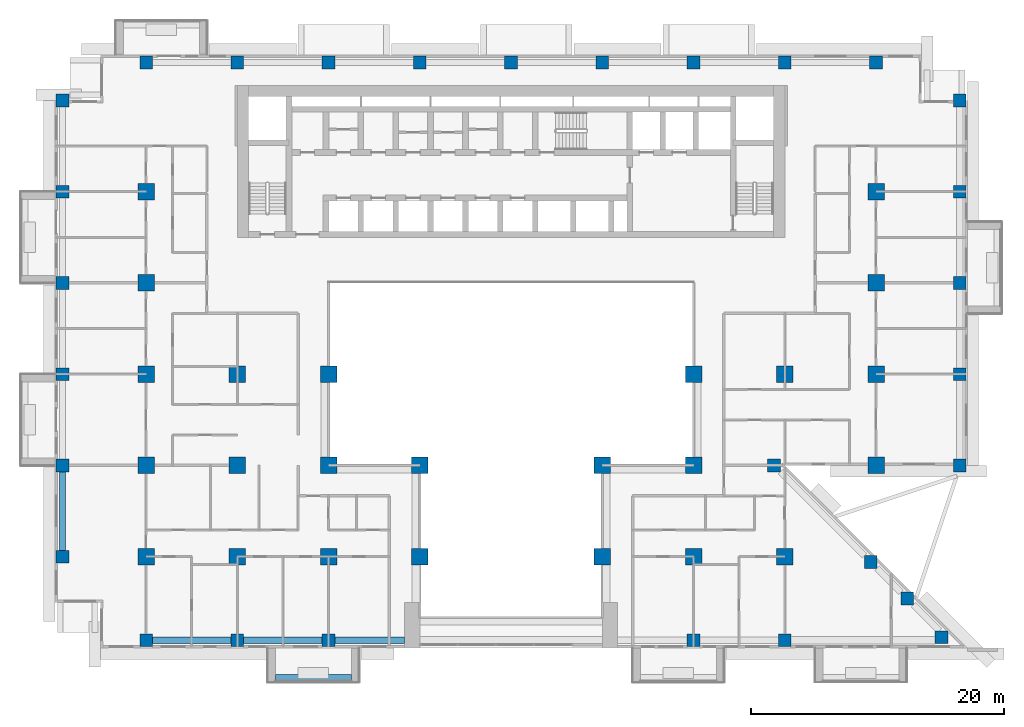
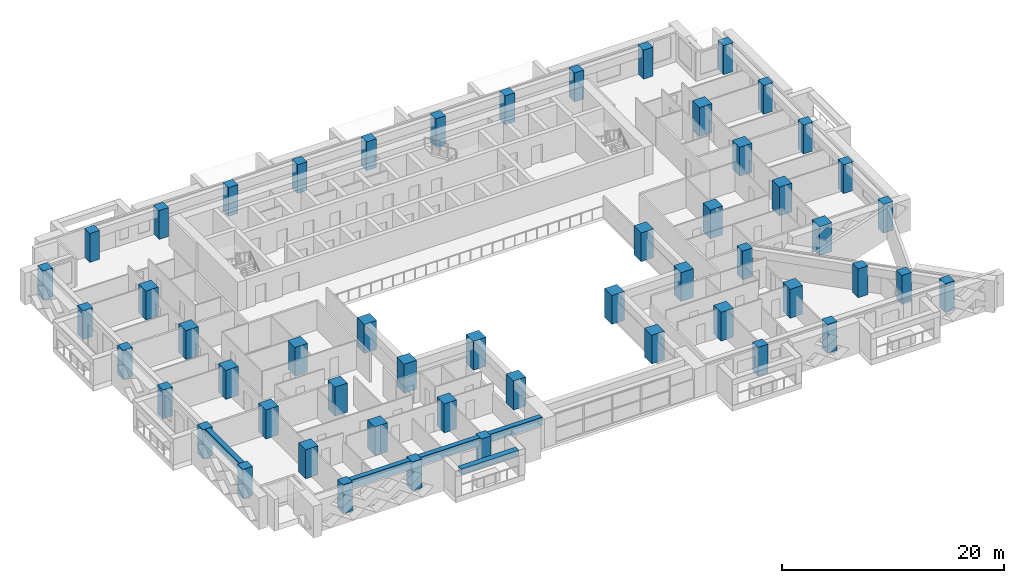
# One storey, part 1 of 17: 53 columns, 5 beams.
"""IFC4 building model written with IfcOpenShell, lengths in metres."""

from ifc_helpers import new_model, si_unit, direction, frame, origin, origin_2d, place, context, subcontext, project, spatial, rectangle, extrude, source, transform, mapped, material, material_profile, profile_set, type_object, element, save


model = new_model("IFC4")

# Units and contexts
model_context = context("Model", 3, precision=1e-05, world=origin(), true_north=direction((0.0, 1.0)))
body_context = subcontext(model_context, "Body", "Model", "MODEL_VIEW")
ifc_project = project(units=[si_unit("LENGTHUNIT", "METRE"), si_unit("AREAUNIT", "SQUARE_METRE"), si_unit("VOLUMEUNIT", "CUBIC_METRE"), si_unit("PLANEANGLEUNIT", "RADIAN"), si_unit("MASSUNIT", "GRAM", prefix="KILO")], contexts=[model_context])

# Site, building, storey
site_placement = place(None, origin())
site = spatial("IfcSite", under=ifc_project, at=site_placement, CompositionType="ELEMENT")
building_placement = place(site_placement, origin())
building = spatial("IfcBuilding", under=site, at=building_placement, Name="Saffron Iwan Residences", CompositionType="ELEMENT")
storey_placement = place(building_placement, frame((0.0, 0.0, 79.5)))
storey = spatial("IfcBuildingStorey", under=building, at=storey_placement, Name="L20", CompositionType="ELEMENT", Elevation=79.5)

# Columns
ifc_material_1 = material(Name="Concrete C60/75", Category="concrete")
ifc_material_profile_1 = material_profile(ifc_material_1, rectangle(XDim=1.0, YDim=1.0, at=origin_2d()), Name="RC 1000x1000")
ifc_profile_set_1 = profile_set([ifc_material_profile_1], Name="Concrete C60/75")
column_type_1 = type_object("IfcColumnType", Name="COL RC 1000x1000 C60/75 3180 HIGH", PredefinedType="COLUMN", material=ifc_profile_set_1)
shared_shape_1 = source(origin(), body_context, "Body", "SweptSolid", [
    extrude(rectangle(XDim=1.0, YDim=1.0, at=origin_2d()), origin(), (0.0, 0.0, 1.0), 3.179931640625),
])
for number, where, z_axis, x_axis, name in (
    (1, (21.60009765625, 34.199951171875, 0.0), (0.0, 0.0, 1.0), (1.0, 0.0, 0.0), "Column C038"),
    (2, (28.800048828125, 34.199951171875, 0.0), (0.0, 0.0, 1.0), (1.0, 0.0, 0.0), "Column C039"),
    (3, (36.0, 34.199951171875, 0.0), (0.0, 0.0, 1.0), (1.0, 0.0, 0.0), "Column C040"),
    (4, (64.800048828125, 34.199951171875, 0.0), (0.0, 0.0, 1.0), (1.0, 0.0, 0.0), "Column C041"),
    (5, (72.0, 34.199951171875, 0.0), (0.0, 0.0, 1.0), (1.0, 0.0, 0.0), "Column C042"),
    (6, (84.367431640625, 34.44189453125, 0.0), (0.0, 0.0, 1.0), (1.0, 0.0, 0.0), "Column C043"),
    (7, (81.65576171875, 37.49560546875, 0.0), (0.0, 0.0, 1.0), (1.0, 0.0, 0.0), "Column C044"),
    (8, (78.775634765625, 40.375732421875, 0.0), (0.0, 0.0, 1.0), (1.0, 0.0, 0.0), "Column C047"),
    (9, (15.0, 40.800048828125, 0.0), (0.0, 0.0, 1.0), (1.0, 0.0, 0.0), "Column C048"),
    (10, (15.0, 48.0, 0.0), (0.0, 0.0, 1.0), (1.0, 0.0, 0.0), "Column C061"),
    (11, (71.14990234375, 48.0, 0.0), (0.0, 0.0, 1.0), (1.0, 0.0, 0.0), "Column C070"),
    (12, (85.800048828125, 48.0, 0.0), (0.0, 0.0, 1.0), (1.0, 0.0, 0.0), "Column C074"),
    (13, (15.0, 55.199951171875, 0.0), (0.0, 0.0, 1.0), (1.0, 0.0, 0.0), "Column C077"),
    (14, (85.800048828125, 55.199951171875, 0.0), (0.0, 0.0, 1.0), (1.0, 0.0, 0.0), "Column C086"),
    (15, (15.0, 62.39990234375, 0.0), (0.0, 0.0, 1.0), (1.0, 0.0, 0.0), "Column C089"),
    (16, (85.800048828125, 62.39990234375, 0.0), (0.0, 0.0, 1.0), (1.0, 0.0, 0.0), "Column C094"),
    (17, (15.0, 69.60009765625, 0.0), (0.0, 0.0, 1.0), (1.0, 0.0, 0.0), "Column C097"),
    (18, (85.800048828125, 69.60009765625, 0.0), (0.0, 0.0, 1.0), (1.0, 0.0, 0.0), "Column C102"),
    (19, (15.0, 76.800048828125, 0.0), (0.0, 0.0, 1.0), (1.0, 0.0, 0.0), "Column C105"),
    (20, (85.800048828125, 76.800048828125, 0.0), (0.0, 0.0, 1.0), (1.0, 0.0, 0.0), "Column C110"),
    (21, (21.60009765625, 79.800048828125, 0.0), (0.0, 0.0, 1.0), (1.0, 0.0, 0.0), "Column C113"),
    (22, (28.800048828125, 79.800048828125, 0.0), (0.0, 0.0, 1.0), (1.0, 0.0, 0.0), "Column C115"),
    (23, (36.0, 79.800048828125, 0.0), (0.0, 0.0, 1.0), (1.0, 0.0, 0.0), "Column C116"),
    (24, (43.199951171875, 79.800048828125, 0.0), (0.0, 0.0, 1.0), (1.0, 0.0, 0.0), "Column C117"),
    (25, (50.39990234375, 79.800048828125, 0.0), (0.0, 0.0, 1.0), (1.0, 0.0, 0.0), "Column C118"),
    (26, (57.60009765625, 79.800048828125, 0.0), (0.0, 0.0, 1.0), (1.0, 0.0, 0.0), "Column C119"),
    (27, (64.800048828125, 79.800048828125, 0.0), (0.0, 0.0, 1.0), (1.0, 0.0, 0.0), "Column C120"),
    (28, (72.0, 79.800048828125, 0.0), (0.0, 0.0, 1.0), (1.0, 0.0, 0.0), "Column C121"),
    (29, (79.199951171875, 79.800048828125, 0.0), (0.0, 0.0, 1.0), (1.0, 0.0, 0.0), "Column C123"),
):
    element("IfcColumn", number, at=place(storey_placement, frame(where, z_axis=z_axis, x_axis=x_axis)), inside=storey, type_object=column_type_1, Name=name, PredefinedType="COLUMN", context=body_context, shape_type="MappedRepresentation", body=[
        mapped(shared_shape_1, transform((0.0, 0.0, 0.0))),
    ])
ifc_material_profile_2 = material_profile(ifc_material_1, rectangle(XDim=1.300048828125, YDim=1.300048828125, at=origin_2d()), Name="RC 1300x1300")
ifc_profile_set_2 = profile_set([ifc_material_profile_2], Name="Concrete C60/75")
column_type_2 = type_object("IfcColumnType", Name="COL RC 1300x1300 C60/75 3180 HIGH", PredefinedType="COLUMN", material=ifc_profile_set_2)
shared_shape_2 = source(origin(), body_context, "Body", "SweptSolid", [
    extrude(rectangle(XDim=1.300048828125, YDim=1.300048828125, at=origin_2d()), origin(), (0.0, 0.0, 1.0), 3.179931640625),
])
for number, where, z_axis, x_axis, name in (
    (30, (21.60009765625, 40.800048828125, 0.0), (0.0, 0.0, 1.0), (1.0, 0.0, 0.0), "Column C049"),
    (31, (28.800048828125, 40.800048828125, 0.0), (0.0, 0.0, 1.0), (1.0, 0.0, 0.0), "Column C051"),
    (32, (36.0, 40.800048828125, 0.0), (0.0, 0.0, 1.0), (1.0, 0.0, 0.0), "Column C052"),
    (33, (43.199951171875, 40.800048828125, 0.0), (0.0, 0.0, 1.0), (1.0, 0.0, 0.0), "Column C053"),
    (34, (57.60009765625, 40.800048828125, 0.0), (0.0, 0.0, 1.0), (1.0, 0.0, 0.0), "Column C054"),
    (35, (64.800048828125, 40.800048828125, 0.0), (0.0, 0.0, 1.0), (1.0, 0.0, 0.0), "Column C055"),
    (36, (72.0, 40.800048828125, 0.0), (0.0, 0.0, 1.0), (1.0, 0.0, 0.0), "Column C056"),
    (37, (21.60009765625, 48.0, 0.0), (0.0, 0.0, 1.0), (1.0, 0.0, 0.0), "Column C063"),
    (38, (28.800048828125, 48.0, 0.0), (0.0, 0.0, 1.0), (1.0, 0.0, 0.0), "Column C064"),
    (39, (36.0, 48.0, 0.0), (0.0, 0.0, 1.0), (1.0, 0.0, 0.0), "Column C065"),
    (40, (43.199951171875, 48.0, 0.0), (0.0, 0.0, 1.0), (1.0, 0.0, 0.0), "Column C066"),
    (41, (57.60009765625, 48.0, 0.0), (0.0, 0.0, 1.0), (1.0, 0.0, 0.0), "Column C068"),
    (42, (64.800048828125, 48.0, 0.0), (0.0, 0.0, 1.0), (1.0, 0.0, 0.0), "Column C069"),
    (43, (79.199951171875, 48.0, 0.0), (0.0, 0.0, 1.0), (1.0, 0.0, 0.0), "Column C072"),
    (44, (21.60009765625, 55.199951171875, 0.0), (0.0, 0.0, 1.0), (1.0, 0.0, 0.0), "Column C079"),
    (45, (28.800048828125, 55.199951171875, 0.0), (0.0, 0.0, 1.0), (1.0, 0.0, 0.0), "Column C080"),
    (46, (36.0, 55.199951171875, 0.0), (0.0, 0.0, 1.0), (1.0, 0.0, 0.0), "Column C081"),
    (47, (64.800048828125, 55.199951171875, 0.0), (0.0, 0.0, 1.0), (1.0, 0.0, 0.0), "Column C082"),
    (48, (72.0, 55.199951171875, 0.0), (0.0, 0.0, 1.0), (1.0, 0.0, 0.0), "Column C083"),
    (49, (79.199951171875, 55.199951171875, 0.0), (0.0, 0.0, 1.0), (1.0, 0.0, 0.0), "Column C084"),
    (50, (21.60009765625, 62.39990234375, 0.0), (0.0, 0.0, 1.0), (1.0, 0.0, 0.0), "Column C091"),
    (51, (79.199951171875, 62.39990234375, 0.0), (0.0, 0.0, 1.0), (1.0, 0.0, 0.0), "Column C092"),
    (52, (21.60009765625, 69.60009765625, 0.0), (0.0, 0.0, 1.0), (1.0, 0.0, 0.0), "Column C099"),
    (53, (79.199951171875, 69.60009765625, 0.0), (0.0, 0.0, 1.0), (1.0, 0.0, 0.0), "Column C100"),
):
    element("IfcColumn", number, at=place(storey_placement, frame(where, z_axis=z_axis, x_axis=x_axis)), inside=storey, type_object=column_type_2, Name=name, PredefinedType="COLUMN", context=body_context, shape_type="MappedRepresentation", body=[
        mapped(shared_shape_2, transform((0.0, 0.0, 0.0))),
    ])

# Beams
ifc_material_profile_3 = material_profile(ifc_material_1, rectangle(XDim=0.5, YDim=0.89990234375, at=origin_2d()), Name="RC 500x900")
ifc_profile_set_3 = profile_set([ifc_material_profile_3], Name="Concrete C60/75")
beam_type_1 = type_object("IfcBeamType", Name="SPANDREL BEAM RC 500x900 C60/75 TOP 3180", PredefinedType="SPANDREL", material=ifc_profile_set_3)
shared_shape_3 = source(origin(), body_context, "Body", "SweptSolid", [
    extrude(rectangle(XDim=0.5, YDim=0.89990234375, at=origin_2d()), origin(), (0.0, 0.0, 1.0), 6.199951171875),
])
for number, where, z_axis, x_axis, name in (
    (54, (28.300048828125, 34.199951171875, 2.72998046875), (-1.0, 0.0, 0.0), (0.0, -1.0, 0.0), "Spandrel beam"),
    (55, (35.5, 34.199951171875, 2.72998046875), (-1.0, 0.0, 0.0), (0.0, -1.0, 0.0), "Spandrel beam"),
    (56, (15.0, 41.300048828125, 2.72998046875), (0.0, 1.0, 0.0), (-1.0, 0.0, 0.0), "Spandrel beam"),
):
    element("IfcBeam", number, at=place(storey_placement, frame(where, z_axis=z_axis, x_axis=x_axis)), inside=storey, type_object=beam_type_1, Name=name, PredefinedType="SPANDREL", context=body_context, shape_type="MappedRepresentation", body=[
        mapped(shared_shape_3, transform((0.0, 0.0, 0.0))),
    ])
shared_shape_4 = source(origin(), body_context, "Body", "SweptSolid", [
    extrude(rectangle(XDim=0.5, YDim=0.89990234375, at=origin_2d()), origin(), (0.0, 0.0, 1.0), 5.5),
])
beam_1_placement = place(storey_placement, frame((42.0, 34.199951171875, 2.72998046875), z_axis=(-1.0, 0.0, 0.0), x_axis=(0.0, -1.0, 0.0)))
element("IfcBeam", 57, at=beam_1_placement, inside=storey, type_object=beam_type_1, Name="Spandrel beam", PredefinedType="SPANDREL", context=body_context, shape_type="MappedRepresentation", body=[
    mapped(shared_shape_4, transform((0.0, 0.0, 0.0))),
])
ifc_material_2 = material(Name="Concrete C50/60 white painted", Category="concrete")
ifc_material_profile_4 = material_profile(ifc_material_2, rectangle(XDim=0.60009765625, YDim=0.60009765625, at=origin_2d()), Name="BALCONY FASCIA BEAM 600 x 600")
ifc_profile_set_4 = profile_set([ifc_material_profile_4], Name="Concrete C50/60 white painted")
beam_type_2 = type_object("IfcBeamType", Name="BALCONY FASCIA BEAM 600 x 600", PredefinedType="BEAM", material=ifc_profile_set_4)
shared_shape_5 = source(origin(), body_context, "Body", "SweptSolid", [
    extrude(rectangle(XDim=0.60009765625, YDim=0.60009765625, at=origin_2d()), origin(), (0.0, 0.0, 1.0), 6.0),
])
beam_2_placement = place(storey_placement, frame((31.800048828125, 31.199951171875, 2.550048828125), z_axis=(1.0, 0.0, 0.0), x_axis=(0.0, 1.0, 0.0)))
element("IfcBeam", 58, at=beam_2_placement, inside=storey, type_object=beam_type_2, Name="Balcony fascia beam L20 11-0", PredefinedType="BEAM", context=body_context, shape_type="MappedRepresentation", body=[
    mapped(shared_shape_5, transform((0.0, 0.0, 0.0))),
])

save(model, "model.ifc")
